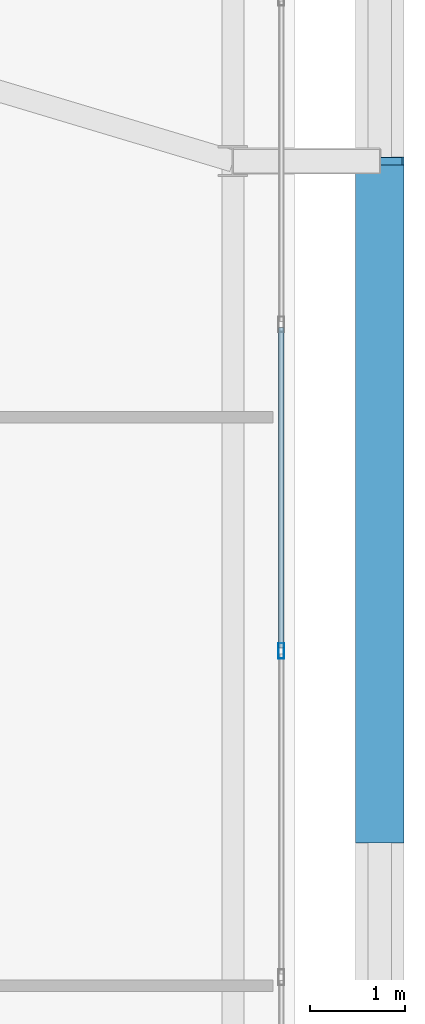
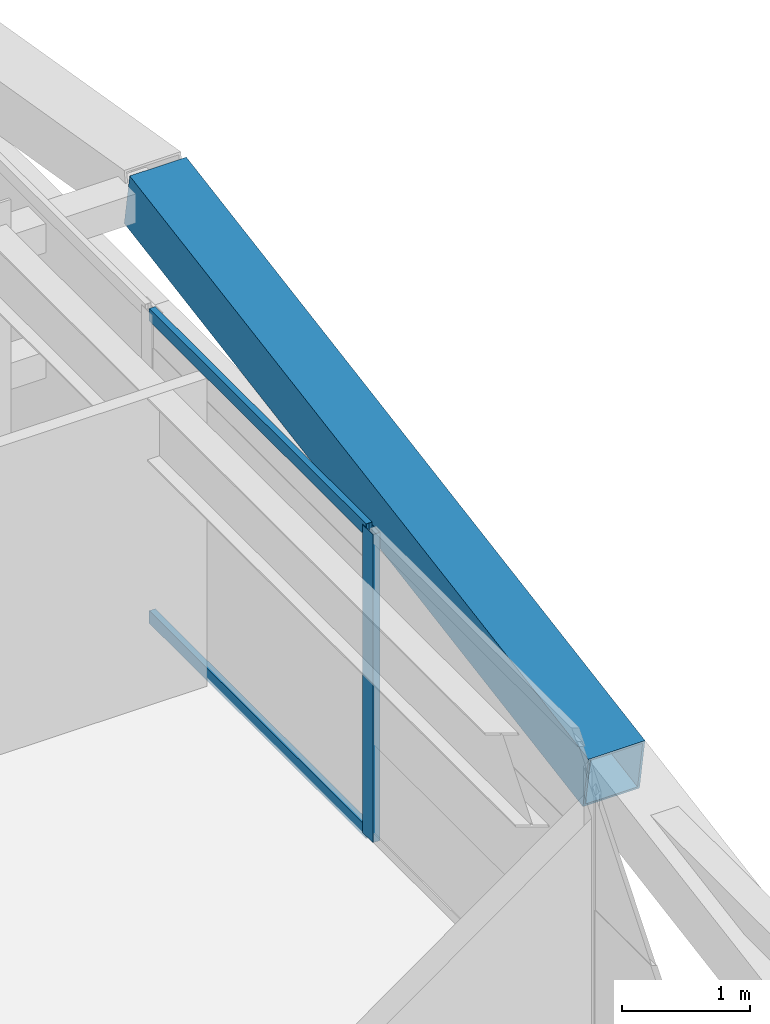
# One storey, part 28 of 59: 4 members, 1 element without a shape of its own.
"""IFC4 building model written with IfcOpenShell, lengths in metres."""

from ifc_helpers import new_model, si_unit, direction, frame, origin, origin_2d, place, context, subcontext, project, spatial, hollow_rectangle, extrude, source, transform, mapped, material, layer, layer_set, material_profile, profile_set, type_object, element, aggregate, save


model = new_model("IFC4")

# Units and contexts
model_context = context("Model", 3, precision=1e-05, world=origin(), true_north=direction((0.0, 1.0)))
body_context = subcontext(model_context, "Body", "Model", "MODEL_VIEW")
ifc_project = project(units=[si_unit("LENGTHUNIT", "METRE"), si_unit("AREAUNIT", "SQUARE_METRE"), si_unit("VOLUMEUNIT", "CUBIC_METRE"), si_unit("PLANEANGLEUNIT", "RADIAN"), si_unit("MASSUNIT", "GRAM", prefix="KILO")], contexts=[model_context])

# Site, building, storey
site_placement = place(None, origin())
site = spatial("IfcSite", under=ifc_project, at=site_placement, CompositionType="ELEMENT")
building_placement = place(site_placement, origin())
building = spatial("IfcBuilding", under=site, at=building_placement, Name="Taldren Reach Tower", CompositionType="ELEMENT")
storey_placement = place(building_placement, frame((0.0, 0.0, 29.39990234375)))
storey = spatial("IfcBuildingStorey", under=building, at=storey_placement, Name="L08", CompositionType="ELEMENT", Elevation=29.39990234375)

# Member
ifc_material_1 = material(Name="Steel Gr 450 (C450L0)", Category="steel")
ifc_material_profile_1 = material_profile(ifc_material_1, hollow_rectangle(XDim=0.510009765625, YDim=0.510009765625, WallThickness=0.02001953125, at=origin_2d()), Name="510x510x20.0SHS")
ifc_profile_set_1 = profile_set([ifc_material_profile_1], Name="Steel Gr 450 (C450L0)")
member_type_1 = type_object("IfcMemberType", Name="MB-EXO508", PredefinedType="BRACE", material=ifc_profile_set_1)
shared_shape_1 = source(origin(), body_context, "Body", "SweptSolid", [
    extrude(hollow_rectangle(XDim=0.510009765625, YDim=0.510009765625, WallThickness=0.02001953125, at=origin_2d()), origin(), (0.0, 0.0, 1.0), 7.25244140625),
])
member_1_placement = place(storey_placement, frame((65.89990234375, 12.85009765625, 1.43505859375), z_axis=(0.0, 0.985864855729, 0.167542490848), x_axis=(-1.0, 0.0, 0.0)))
element("IfcMember", 1, at=member_1_placement, inside=storey, type_object=member_type_1, Name="Exoskeleton Diagrid Brace B1-E1 L08", PredefinedType="BRACE", context=body_context, shape_type="MappedRepresentation", body=[
    mapped(shared_shape_1, transform((0.0, 0.0, 0.0), scale=1.0)),
])

# Curtain wall, members
ifc_material_2 = material(Name="Aluminium and Low-E Glass Unitised System", Category="aluminium")
ifc_layer = layer(ifc_material_2, 0.159912109375)
ifc_layer_set = layer_set([ifc_layer], Name="Aluminium and Low-E Glass Unitised System")
curtain_wall_type = type_object("IfcCurtainWallType", Name="CW-SYS-2", PredefinedType="NOTDEFINED", material=ifc_layer_set)
curtain_wall_placement = place(storey_placement, origin())
curtain_wall = element("IfcCurtainWall", 2, at=curtain_wall_placement, inside=storey, type_object=curtain_wall_type, Name="Unitised curtain wall CW-L08-E", PredefinedType="NOTDEFINED")
ifc_material_3 = material(Name="Anodised Aluminium 6063-T6", Category="aluminium")
ifc_material_profile_2 = material_profile(ifc_material_3, hollow_rectangle(XDim=0.054931640625, YDim=0.1201171875, WallThickness=0.0029296875, at=origin_2d()), Name="ALU-120x55x3RHS")
ifc_profile_set_2 = profile_set([ifc_material_profile_2], Name="Anodised Aluminium 6063-T6")
member_type_2 = type_object("IfcMemberType", Name="CW-TRN-135", PredefinedType="USERDEFINED", material=ifc_profile_set_2)
shared_shape_2 = source(origin(), body_context, "Body", "SweptSolid", [
    extrude(hollow_rectangle(XDim=0.054931640625, YDim=0.1201171875, WallThickness=0.0029296875, at=origin_2d()), origin(), (0.0, 0.0, 1.0), 3.379638671875),
])
member_2_placement = place(storey_placement, frame((64.860107421875, 14.86572265625, 0.027587890625), z_axis=(0.0, 1.0, 0.0), x_axis=(-1.0, 0.0, 0.0)))
member_2 = element("IfcMember", 3, at=member_2_placement, type_object=member_type_2, Name="CW-2 transom 4.1", ObjectType="TRANSOM", PredefinedType="USERDEFINED", context=body_context, shape_type="MappedRepresentation", body=[
    mapped(shared_shape_2, transform((0.0, 0.0, 0.0), scale=1.0)),
])
member_3_placement = place(storey_placement, frame((64.860107421875, 14.86572265625, 2.902587890625), z_axis=(0.0, 1.0, 0.0), x_axis=(-1.0, 0.0, 0.0)))
member_3 = element("IfcMember", 4, at=member_3_placement, type_object=member_type_2, Name="CW-2 transom 4.2", ObjectType="TRANSOM", PredefinedType="USERDEFINED", context=body_context, shape_type="MappedRepresentation", body=[
    mapped(shared_shape_2, transform((0.0, 0.0, 0.0), scale=1.0)),
])
ifc_material_profile_3 = material_profile(ifc_material_3, hollow_rectangle(XDim=0.06494140625, YDim=0.1650390625, WallThickness=0.00390625, at=origin_2d()), Name="ALU-165x65x4RHS")
ifc_profile_set_3 = profile_set([ifc_material_profile_3], Name="Anodised Aluminium 6063-T6")
member_type_3 = type_object("IfcMemberType", Name="CW-MUL-165", PredefinedType="MULLION", material=ifc_profile_set_3)
shared_shape_3 = source(origin(), body_context, "Body", "SweptSolid", [
    extrude(hollow_rectangle(XDim=0.06494140625, YDim=0.1650390625, WallThickness=0.00390625, at=origin_2d()), origin(), (0.0, 0.0, 1.0), 2.93017578125),
])
member_4_placement = place(storey_placement, frame((64.860107421875, 14.833251953125, 0.0), z_axis=(0.0, 0.0, 1.0), x_axis=(-1.0, 0.0, 0.0)))
member_4 = element("IfcMember", 5, at=member_4_placement, type_object=member_type_3, Name="CW-2 mullion 4", PredefinedType="MULLION", context=body_context, shape_type="MappedRepresentation", body=[
    mapped(shared_shape_3, transform((0.0, 0.0, 0.0), scale=1.0)),
])
aggregate(curtain_wall, [member_4, member_2, member_3])

save(model, "model.ifc")
